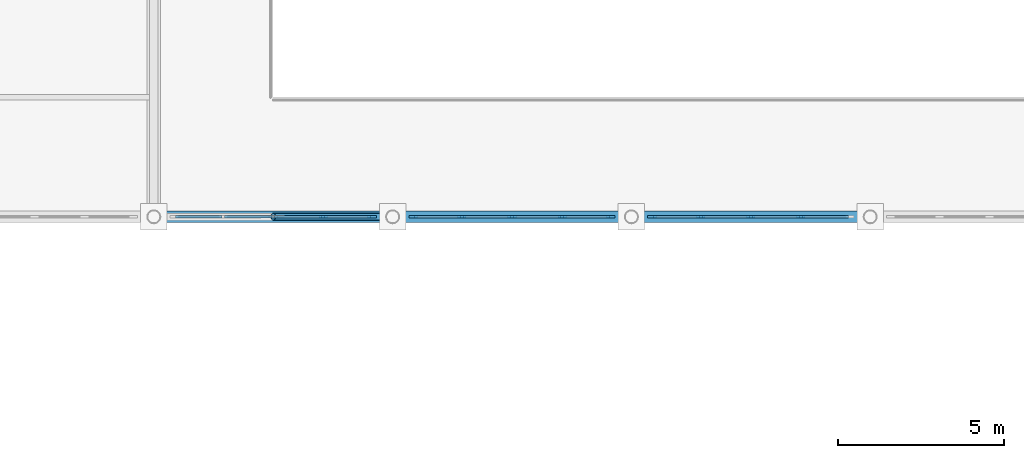
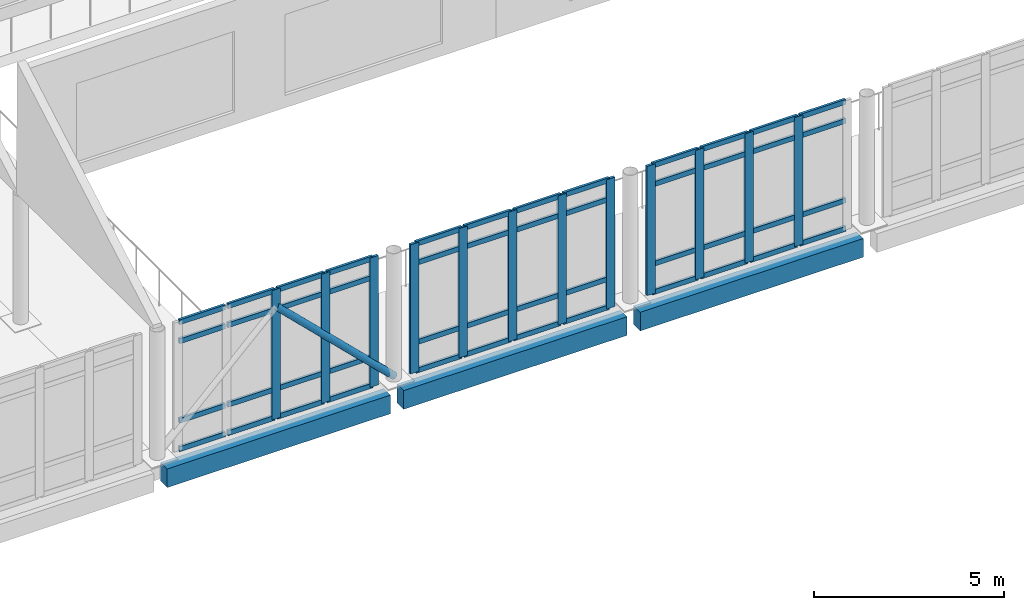
# One storey, part 10 of 62: 61 members, 3 beams, 3 elements without a shape of their own.
"""IFC4 building model written with IfcOpenShell, lengths in metres."""

from ifc_helpers import new_model, si_unit, direction, frame, origin, origin_2d, place, context, subcontext, project, spatial, rectangle, hollow_circle, extrude, material, layer, layer_set, material_profile, profile_set, type_object, element, aggregate, save


model = new_model("IFC4")

# Units and contexts
model_context = context("Model", 3, precision=1e-05, world=origin(), true_north=direction((0.0, 1.0)))
body_context = subcontext(model_context, "Body", "Model", "MODEL_VIEW")
ifc_project = project(units=[si_unit("LENGTHUNIT", "METRE"), si_unit("AREAUNIT", "SQUARE_METRE"), si_unit("VOLUMEUNIT", "CUBIC_METRE"), si_unit("PLANEANGLEUNIT", "RADIAN"), si_unit("MASSUNIT", "GRAM", prefix="KILO")], contexts=[model_context])

# Site, building, storey
site_placement = place(None, origin())
site = spatial("IfcSite", under=ifc_project, at=site_placement, CompositionType="ELEMENT")
building_placement = place(site_placement, origin())
building = spatial("IfcBuilding", under=site, at=building_placement, Name="Valkovuoma Quantum and Materials Research Institute", CompositionType="ELEMENT")
storey_placement = place(building_placement, frame((0.0, 0.0, 13.1201171875)))
storey = spatial("IfcBuildingStorey", under=building, at=storey_placement, Name="L03", CompositionType="ELEMENT", Elevation=13.1201171875)

# Beams
ifc_material_1 = material(Name="Concrete C40/50", Category="concrete")
ifc_material_profile_1 = material_profile(ifc_material_1, rectangle(XDim=0.35009765625, YDim=0.60009765625, at=origin_2d()), Name="Concrete C40/50")
ifc_profile_set_1 = profile_set([ifc_material_profile_1], Name="Concrete C40/50")
beam_type = type_object("IfcBeamType", Name="Beam-B-SPN600", PredefinedType="SPANDREL", material=ifc_profile_set_1)
for number, where, z_axis, x_axis, name in (
    (1, (43.4033203125, 36.0, -0.650146484375), (1.0, 0.0, 0.0), (0.0, 1.0, 0.0), "L03 beam X-1430"),
    (2, (50.603271484375, 36.0, -0.650146484375), (1.0, 0.0, 0.0), (0.0, 1.0, 0.0), "L03 beam X-1431"),
    (3, (57.80322265625, 36.0, -0.650146484375), (1.0, 0.0, 0.0), (0.0, 1.0, 0.0), "L03 beam X-1432"),
):
    element("IfcBeam", number, at=place(storey_placement, frame(where, z_axis=z_axis, x_axis=x_axis)), inside=storey, type_object=beam_type, Name=name, PredefinedType="SPANDREL", context=body_context, shape_type="SweptSolid", body=[
        extrude(rectangle(XDim=0.35009765625, YDim=0.60009765625, at=origin_2d()), origin(), (0.0, 0.0, 1.0), 6.79345703125),
    ])

# Curtain wall, members
ifc_material_2 = material(Name="Thermally broken aluminium and triple low-E glazing", Category="aluminium")
ifc_layer = layer(ifc_material_2, 0.219970703125)
ifc_layer_set = layer_set([ifc_layer], Name="Thermally broken aluminium and triple low-E glazing")
curtain_wall_type = type_object("IfcCurtainWallType", Name="CW-CW-02", PredefinedType="NOTDEFINED", material=ifc_layer_set)
curtain_wall_1_placement = place(storey_placement, origin())
curtain_wall_1 = element("IfcCurtainWall", 4, at=curtain_wall_1_placement, inside=storey, type_object=curtain_wall_type, Name="L03 curtain wall 203", PredefinedType="NOTDEFINED")
ifc_material_3 = material(Name="Anodised aluminium 6060-T66", Category="aluminium")
ifc_material_profile_2 = material_profile(ifc_material_3, rectangle(XDim=0.080078125, YDim=0.260009765625, at=origin_2d()), Name="Anodised aluminium 6060-T66")
ifc_profile_set_2 = profile_set([ifc_material_profile_2], Name="Anodised aluminium 6060-T66")
member_type_1 = type_object("IfcMemberType", Name="CWMull-CWM-03", PredefinedType="MULLION", material=ifc_profile_set_2)
member_1_placement = place(storey_placement, frame((46.800048828125, 36.0, 0.0), z_axis=(0.0, 0.0, 1.0), x_axis=(0.0, 1.0, 0.0)))
member_1 = element("IfcMember", 5, at=member_1_placement, type_object=member_type_1, Name="CW-02 mullion 3", PredefinedType="MULLION", context=body_context, shape_type="SweptSolid", body=[
    extrude(rectangle(XDim=0.080078125, YDim=0.260009765625, at=origin_2d()), origin(), (0.0, 0.0, 1.0), 4.159912109375),
])
member_2_placement = place(storey_placement, frame((48.31005859375, 36.0, 0.0), z_axis=(0.0, 0.0, 1.0), x_axis=(0.0, 1.0, 0.0)))
member_2 = element("IfcMember", 6, at=member_2_placement, type_object=member_type_1, Name="CW-02 mullion 4", PredefinedType="MULLION", context=body_context, shape_type="SweptSolid", body=[
    extrude(rectangle(XDim=0.080078125, YDim=0.260009765625, at=origin_2d()), origin(), (0.0, 0.0, 1.0), 4.159912109375),
])
member_3_placement = place(storey_placement, frame((49.780029296875, 36.0, 0.0), z_axis=(0.0, 0.0, 1.0), x_axis=(0.0, 1.0, 0.0)))
member_3 = element("IfcMember", 7, at=member_3_placement, type_object=member_type_1, Name="CW-02 mullion 5", PredefinedType="MULLION", context=body_context, shape_type="SweptSolid", body=[
    extrude(rectangle(XDim=0.080078125, YDim=0.260009765625, at=origin_2d()), origin(), (0.0, 0.0, 1.0), 4.159912109375),
])

curtain_wall_2_placement = place(storey_placement, origin())
curtain_wall_2 = element("IfcCurtainWall", 8, at=curtain_wall_2_placement, inside=storey, type_object=curtain_wall_type, Name="L03 curtain wall 204", PredefinedType="NOTDEFINED")
member_4_placement = place(storey_placement, frame((51.02001953125, 36.0, 0.0), z_axis=(0.0, 0.0, 1.0), x_axis=(0.0, 1.0, 0.0)))
member_4 = element("IfcMember", 9, at=member_4_placement, type_object=member_type_1, Name="CW-02 mullion 1", PredefinedType="MULLION", context=body_context, shape_type="SweptSolid", body=[
    extrude(rectangle(XDim=0.080078125, YDim=0.260009765625, at=origin_2d()), origin(), (0.0, 0.0, 1.0), 4.159912109375),
])
member_5_placement = place(storey_placement, frame((52.489990234375, 36.0, 0.0), z_axis=(0.0, 0.0, 1.0), x_axis=(0.0, 1.0, 0.0)))
member_5 = element("IfcMember", 10, at=member_5_placement, type_object=member_type_1, Name="CW-02 mullion 2", PredefinedType="MULLION", context=body_context, shape_type="SweptSolid", body=[
    extrude(rectangle(XDim=0.080078125, YDim=0.260009765625, at=origin_2d()), origin(), (0.0, 0.0, 1.0), 4.159912109375),
])
member_6_placement = place(storey_placement, frame((54.0, 36.0, 0.0), z_axis=(0.0, 0.0, 1.0), x_axis=(0.0, 1.0, 0.0)))
member_6 = element("IfcMember", 11, at=member_6_placement, type_object=member_type_1, Name="CW-02 mullion 3", PredefinedType="MULLION", context=body_context, shape_type="SweptSolid", body=[
    extrude(rectangle(XDim=0.080078125, YDim=0.260009765625, at=origin_2d()), origin(), (0.0, 0.0, 1.0), 4.159912109375),
])
member_7_placement = place(storey_placement, frame((55.510009765625, 36.0, 0.0), z_axis=(0.0, 0.0, 1.0), x_axis=(0.0, 1.0, 0.0)))
member_7 = element("IfcMember", 12, at=member_7_placement, type_object=member_type_1, Name="CW-02 mullion 4", PredefinedType="MULLION", context=body_context, shape_type="SweptSolid", body=[
    extrude(rectangle(XDim=0.080078125, YDim=0.260009765625, at=origin_2d()), origin(), (0.0, 0.0, 1.0), 4.159912109375),
])
member_8_placement = place(storey_placement, frame((56.97998046875, 36.0, 0.0), z_axis=(0.0, 0.0, 1.0), x_axis=(0.0, 1.0, 0.0)))
member_8 = element("IfcMember", 13, at=member_8_placement, type_object=member_type_1, Name="CW-02 mullion 5", PredefinedType="MULLION", context=body_context, shape_type="SweptSolid", body=[
    extrude(rectangle(XDim=0.080078125, YDim=0.260009765625, at=origin_2d()), origin(), (0.0, 0.0, 1.0), 4.159912109375),
])

curtain_wall_3_placement = place(storey_placement, origin())
curtain_wall_3 = element("IfcCurtainWall", 14, at=curtain_wall_3_placement, inside=storey, type_object=curtain_wall_type, Name="L03 curtain wall 205", PredefinedType="NOTDEFINED")
member_9_placement = place(storey_placement, frame((58.219970703125, 36.0, 0.0), z_axis=(0.0, 0.0, 1.0), x_axis=(0.0, 1.0, 0.0)))
member_9 = element("IfcMember", 15, at=member_9_placement, type_object=member_type_1, Name="CW-02 mullion 1", PredefinedType="MULLION", context=body_context, shape_type="SweptSolid", body=[
    extrude(rectangle(XDim=0.080078125, YDim=0.260009765625, at=origin_2d()), origin(), (0.0, 0.0, 1.0), 4.159912109375),
])
member_10_placement = place(storey_placement, frame((59.68994140625, 36.0, 0.0), z_axis=(0.0, 0.0, 1.0), x_axis=(0.0, 1.0, 0.0)))
member_10 = element("IfcMember", 16, at=member_10_placement, type_object=member_type_1, Name="CW-02 mullion 2", PredefinedType="MULLION", context=body_context, shape_type="SweptSolid", body=[
    extrude(rectangle(XDim=0.080078125, YDim=0.260009765625, at=origin_2d()), origin(), (0.0, 0.0, 1.0), 4.159912109375),
])
member_11_placement = place(storey_placement, frame((61.199951171875, 36.0, 0.0), z_axis=(0.0, 0.0, 1.0), x_axis=(0.0, 1.0, 0.0)))
member_11 = element("IfcMember", 17, at=member_11_placement, type_object=member_type_1, Name="CW-02 mullion 3", PredefinedType="MULLION", context=body_context, shape_type="SweptSolid", body=[
    extrude(rectangle(XDim=0.080078125, YDim=0.260009765625, at=origin_2d()), origin(), (0.0, 0.0, 1.0), 4.159912109375),
])
member_12_placement = place(storey_placement, frame((62.7099609375, 36.0, 0.0), z_axis=(0.0, 0.0, 1.0), x_axis=(0.0, 1.0, 0.0)))
member_12 = element("IfcMember", 18, at=member_12_placement, type_object=member_type_1, Name="CW-02 mullion 4", PredefinedType="MULLION", context=body_context, shape_type="SweptSolid", body=[
    extrude(rectangle(XDim=0.080078125, YDim=0.260009765625, at=origin_2d()), origin(), (0.0, 0.0, 1.0), 4.159912109375),
])

# Member
ifc_material_4 = material(Name="Anodised aluminium 6060-T66", Category="aluminium")
ifc_material_profile_3 = material_profile(ifc_material_4, rectangle(XDim=0.074951171875, YDim=0.159912109375, at=origin_2d()), Name="Anodised aluminium 6060-T66")
ifc_profile_set_3 = profile_set([ifc_material_profile_3], Name="Anodised aluminium 6060-T66")
member_type_2 = type_object("IfcMemberType", Name="CWTran-CWT-02", PredefinedType="USERDEFINED", material=ifc_profile_set_3)
member_13_placement = place(storey_placement, frame((43.860107421875, 36.0, 0.037353515625), z_axis=(1.0, 0.0, 0.0), x_axis=(0.0, 1.0, 0.0)))
member_13 = element("IfcMember", 19, at=member_13_placement, type_object=member_type_2, Name="CW-02 transom 1.1", ObjectType="TRANSOM", PredefinedType="USERDEFINED", context=body_context, shape_type="SweptSolid", body=[
    extrude(rectangle(XDim=0.074951171875, YDim=0.159912109375, at=origin_2d()), origin(), (0.0, 0.0, 1.0), 1.389892578125),
])

member_14_placement = place(storey_placement, frame((43.860107421875, 36.0, 0.949951171875), z_axis=(1.0, 0.0, 0.0), x_axis=(0.0, 1.0, 0.0)))
member_14 = element("IfcMember", 20, at=member_14_placement, type_object=member_type_2, Name="CW-02 transom 1.2", ObjectType="TRANSOM", PredefinedType="USERDEFINED", context=body_context, shape_type="SweptSolid", body=[
    extrude(rectangle(XDim=0.074951171875, YDim=0.159912109375, at=origin_2d()), origin(), (0.0, 0.0, 1.0), 1.389892578125),
])

member_15_placement = place(storey_placement, frame((43.860107421875, 36.0, 3.509765625), z_axis=(1.0, 0.0, 0.0), x_axis=(0.0, 1.0, 0.0)))
member_15 = element("IfcMember", 21, at=member_15_placement, type_object=member_type_2, Name="CW-02 transom 1.3", ObjectType="TRANSOM", PredefinedType="USERDEFINED", context=body_context, shape_type="SweptSolid", body=[
    extrude(rectangle(XDim=0.074951171875, YDim=0.159912109375, at=origin_2d()), origin(), (0.0, 0.0, 1.0), 1.389892578125),
])

member_16_placement = place(storey_placement, frame((43.860107421875, 36.0, 4.122314453125), z_axis=(1.0, 0.0, 0.0), x_axis=(0.0, 1.0, 0.0)))
member_16 = element("IfcMember", 22, at=member_16_placement, type_object=member_type_2, Name="CW-02 transom 1.4", ObjectType="TRANSOM", PredefinedType="USERDEFINED", context=body_context, shape_type="SweptSolid", body=[
    extrude(rectangle(XDim=0.074951171875, YDim=0.159912109375, at=origin_2d()), origin(), (0.0, 0.0, 1.0), 1.389892578125),
])

member_17_placement = place(storey_placement, frame((45.330078125, 36.0, 0.037353515625), z_axis=(1.0, 0.0, 0.0), x_axis=(0.0, 1.0, 0.0)))
member_17 = element("IfcMember", 23, at=member_17_placement, type_object=member_type_2, Name="CW-02 transom 2.1", ObjectType="TRANSOM", PredefinedType="USERDEFINED", context=body_context, shape_type="SweptSolid", body=[
    extrude(rectangle(XDim=0.074951171875, YDim=0.159912109375, at=origin_2d()), origin(), (0.0, 0.0, 1.0), 1.429931640625),
])

member_18_placement = place(storey_placement, frame((45.330078125, 36.0, 0.949951171875), z_axis=(1.0, 0.0, 0.0), x_axis=(0.0, 1.0, 0.0)))
member_18 = element("IfcMember", 24, at=member_18_placement, type_object=member_type_2, Name="CW-02 transom 2.2", ObjectType="TRANSOM", PredefinedType="USERDEFINED", context=body_context, shape_type="SweptSolid", body=[
    extrude(rectangle(XDim=0.074951171875, YDim=0.159912109375, at=origin_2d()), origin(), (0.0, 0.0, 1.0), 1.429931640625),
])

member_19_placement = place(storey_placement, frame((45.330078125, 36.0, 3.509765625), z_axis=(1.0, 0.0, 0.0), x_axis=(0.0, 1.0, 0.0)))
member_19 = element("IfcMember", 25, at=member_19_placement, type_object=member_type_2, Name="CW-02 transom 2.3", ObjectType="TRANSOM", PredefinedType="USERDEFINED", context=body_context, shape_type="SweptSolid", body=[
    extrude(rectangle(XDim=0.074951171875, YDim=0.159912109375, at=origin_2d()), origin(), (0.0, 0.0, 1.0), 1.429931640625),
])

member_20_placement = place(storey_placement, frame((45.330078125, 36.0, 4.122314453125), z_axis=(1.0, 0.0, 0.0), x_axis=(0.0, 1.0, 0.0)))
member_20 = element("IfcMember", 26, at=member_20_placement, type_object=member_type_2, Name="CW-02 transom 2.4", ObjectType="TRANSOM", PredefinedType="USERDEFINED", context=body_context, shape_type="SweptSolid", body=[
    extrude(rectangle(XDim=0.074951171875, YDim=0.159912109375, at=origin_2d()), origin(), (0.0, 0.0, 1.0), 1.429931640625),
])

member_21_placement = place(storey_placement, frame((46.840087890625, 36.0, 0.037353515625), z_axis=(1.0, 0.0, 0.0), x_axis=(0.0, 1.0, 0.0)))
member_21 = element("IfcMember", 27, at=member_21_placement, type_object=member_type_2, Name="CW-02 transom 3.1", ObjectType="TRANSOM", PredefinedType="USERDEFINED", context=body_context, shape_type="SweptSolid", body=[
    extrude(rectangle(XDim=0.074951171875, YDim=0.159912109375, at=origin_2d()), origin(), (0.0, 0.0, 1.0), 1.429931640625),
])

member_22_placement = place(storey_placement, frame((46.840087890625, 36.0, 0.949951171875), z_axis=(1.0, 0.0, 0.0), x_axis=(0.0, 1.0, 0.0)))
member_22 = element("IfcMember", 28, at=member_22_placement, type_object=member_type_2, Name="CW-02 transom 3.2", ObjectType="TRANSOM", PredefinedType="USERDEFINED", context=body_context, shape_type="SweptSolid", body=[
    extrude(rectangle(XDim=0.074951171875, YDim=0.159912109375, at=origin_2d()), origin(), (0.0, 0.0, 1.0), 1.429931640625),
])

member_23_placement = place(storey_placement, frame((46.840087890625, 36.0, 3.509765625), z_axis=(1.0, 0.0, 0.0), x_axis=(0.0, 1.0, 0.0)))
member_23 = element("IfcMember", 29, at=member_23_placement, type_object=member_type_2, Name="CW-02 transom 3.3", ObjectType="TRANSOM", PredefinedType="USERDEFINED", context=body_context, shape_type="SweptSolid", body=[
    extrude(rectangle(XDim=0.074951171875, YDim=0.159912109375, at=origin_2d()), origin(), (0.0, 0.0, 1.0), 1.429931640625),
])

member_24_placement = place(storey_placement, frame((46.840087890625, 36.0, 4.122314453125), z_axis=(1.0, 0.0, 0.0), x_axis=(0.0, 1.0, 0.0)))
member_24 = element("IfcMember", 30, at=member_24_placement, type_object=member_type_2, Name="CW-02 transom 3.4", ObjectType="TRANSOM", PredefinedType="USERDEFINED", context=body_context, shape_type="SweptSolid", body=[
    extrude(rectangle(XDim=0.074951171875, YDim=0.159912109375, at=origin_2d()), origin(), (0.0, 0.0, 1.0), 1.429931640625),
])

member_25_placement = place(storey_placement, frame((48.35009765625, 36.0, 0.037353515625), z_axis=(1.0, 0.0, 0.0), x_axis=(0.0, 1.0, 0.0)))
member_25 = element("IfcMember", 31, at=member_25_placement, type_object=member_type_2, Name="CW-02 transom 4.1", ObjectType="TRANSOM", PredefinedType="USERDEFINED", context=body_context, shape_type="SweptSolid", body=[
    extrude(rectangle(XDim=0.074951171875, YDim=0.159912109375, at=origin_2d()), origin(), (0.0, 0.0, 1.0), 1.389892578125),
])

member_26_placement = place(storey_placement, frame((48.35009765625, 36.0, 0.949951171875), z_axis=(1.0, 0.0, 0.0), x_axis=(0.0, 1.0, 0.0)))
member_26 = element("IfcMember", 32, at=member_26_placement, type_object=member_type_2, Name="CW-02 transom 4.2", ObjectType="TRANSOM", PredefinedType="USERDEFINED", context=body_context, shape_type="SweptSolid", body=[
    extrude(rectangle(XDim=0.074951171875, YDim=0.159912109375, at=origin_2d()), origin(), (0.0, 0.0, 1.0), 1.389892578125),
])

member_27_placement = place(storey_placement, frame((48.35009765625, 36.0, 3.509765625), z_axis=(1.0, 0.0, 0.0), x_axis=(0.0, 1.0, 0.0)))
member_27 = element("IfcMember", 33, at=member_27_placement, type_object=member_type_2, Name="CW-02 transom 4.3", ObjectType="TRANSOM", PredefinedType="USERDEFINED", context=body_context, shape_type="SweptSolid", body=[
    extrude(rectangle(XDim=0.074951171875, YDim=0.159912109375, at=origin_2d()), origin(), (0.0, 0.0, 1.0), 1.389892578125),
])

member_28_placement = place(storey_placement, frame((48.35009765625, 36.0, 4.122314453125), z_axis=(1.0, 0.0, 0.0), x_axis=(0.0, 1.0, 0.0)))
member_28 = element("IfcMember", 34, at=member_28_placement, type_object=member_type_2, Name="CW-02 transom 4.4", ObjectType="TRANSOM", PredefinedType="USERDEFINED", context=body_context, shape_type="SweptSolid", body=[
    extrude(rectangle(XDim=0.074951171875, YDim=0.159912109375, at=origin_2d()), origin(), (0.0, 0.0, 1.0), 1.389892578125),
])

aggregate(curtain_wall_1, [member_1, member_2, member_3, member_13, member_14, member_15, member_16, member_17, member_18, member_19, member_20, member_21, member_22, member_23, member_24, member_25, member_26, member_27, member_28])

member_29_placement = place(storey_placement, frame((51.06005859375, 36.0, 0.037353515625), z_axis=(1.0, 0.0, 0.0), x_axis=(0.0, 1.0, 0.0)))
member_29 = element("IfcMember", 35, at=member_29_placement, type_object=member_type_2, Name="CW-02 transom 1.1", ObjectType="TRANSOM", PredefinedType="USERDEFINED", context=body_context, shape_type="SweptSolid", body=[
    extrude(rectangle(XDim=0.074951171875, YDim=0.159912109375, at=origin_2d()), origin(), (0.0, 0.0, 1.0), 1.389892578125),
])

member_30_placement = place(storey_placement, frame((51.06005859375, 36.0, 0.949951171875), z_axis=(1.0, 0.0, 0.0), x_axis=(0.0, 1.0, 0.0)))
member_30 = element("IfcMember", 36, at=member_30_placement, type_object=member_type_2, Name="CW-02 transom 1.2", ObjectType="TRANSOM", PredefinedType="USERDEFINED", context=body_context, shape_type="SweptSolid", body=[
    extrude(rectangle(XDim=0.074951171875, YDim=0.159912109375, at=origin_2d()), origin(), (0.0, 0.0, 1.0), 1.389892578125),
])

member_31_placement = place(storey_placement, frame((51.06005859375, 36.0, 3.509765625), z_axis=(1.0, 0.0, 0.0), x_axis=(0.0, 1.0, 0.0)))
member_31 = element("IfcMember", 37, at=member_31_placement, type_object=member_type_2, Name="CW-02 transom 1.3", ObjectType="TRANSOM", PredefinedType="USERDEFINED", context=body_context, shape_type="SweptSolid", body=[
    extrude(rectangle(XDim=0.074951171875, YDim=0.159912109375, at=origin_2d()), origin(), (0.0, 0.0, 1.0), 1.389892578125),
])

member_32_placement = place(storey_placement, frame((51.06005859375, 36.0, 4.122314453125), z_axis=(1.0, 0.0, 0.0), x_axis=(0.0, 1.0, 0.0)))
member_32 = element("IfcMember", 38, at=member_32_placement, type_object=member_type_2, Name="CW-02 transom 1.4", ObjectType="TRANSOM", PredefinedType="USERDEFINED", context=body_context, shape_type="SweptSolid", body=[
    extrude(rectangle(XDim=0.074951171875, YDim=0.159912109375, at=origin_2d()), origin(), (0.0, 0.0, 1.0), 1.389892578125),
])

member_33_placement = place(storey_placement, frame((52.530029296875, 36.0, 0.037353515625), z_axis=(1.0, 0.0, 0.0), x_axis=(0.0, 1.0, 0.0)))
member_33 = element("IfcMember", 39, at=member_33_placement, type_object=member_type_2, Name="CW-02 transom 2.1", ObjectType="TRANSOM", PredefinedType="USERDEFINED", context=body_context, shape_type="SweptSolid", body=[
    extrude(rectangle(XDim=0.074951171875, YDim=0.159912109375, at=origin_2d()), origin(), (0.0, 0.0, 1.0), 1.429931640625),
])

member_34_placement = place(storey_placement, frame((52.530029296875, 36.0, 0.949951171875), z_axis=(1.0, 0.0, 0.0), x_axis=(0.0, 1.0, 0.0)))
member_34 = element("IfcMember", 40, at=member_34_placement, type_object=member_type_2, Name="CW-02 transom 2.2", ObjectType="TRANSOM", PredefinedType="USERDEFINED", context=body_context, shape_type="SweptSolid", body=[
    extrude(rectangle(XDim=0.074951171875, YDim=0.159912109375, at=origin_2d()), origin(), (0.0, 0.0, 1.0), 1.429931640625),
])

member_35_placement = place(storey_placement, frame((52.530029296875, 36.0, 3.509765625), z_axis=(1.0, 0.0, 0.0), x_axis=(0.0, 1.0, 0.0)))
member_35 = element("IfcMember", 41, at=member_35_placement, type_object=member_type_2, Name="CW-02 transom 2.3", ObjectType="TRANSOM", PredefinedType="USERDEFINED", context=body_context, shape_type="SweptSolid", body=[
    extrude(rectangle(XDim=0.074951171875, YDim=0.159912109375, at=origin_2d()), origin(), (0.0, 0.0, 1.0), 1.429931640625),
])

member_36_placement = place(storey_placement, frame((52.530029296875, 36.0, 4.122314453125), z_axis=(1.0, 0.0, 0.0), x_axis=(0.0, 1.0, 0.0)))
member_36 = element("IfcMember", 42, at=member_36_placement, type_object=member_type_2, Name="CW-02 transom 2.4", ObjectType="TRANSOM", PredefinedType="USERDEFINED", context=body_context, shape_type="SweptSolid", body=[
    extrude(rectangle(XDim=0.074951171875, YDim=0.159912109375, at=origin_2d()), origin(), (0.0, 0.0, 1.0), 1.429931640625),
])

member_37_placement = place(storey_placement, frame((54.0400390625, 36.0, 0.037353515625), z_axis=(1.0, 0.0, 0.0), x_axis=(0.0, 1.0, 0.0)))
member_37 = element("IfcMember", 43, at=member_37_placement, type_object=member_type_2, Name="CW-02 transom 3.1", ObjectType="TRANSOM", PredefinedType="USERDEFINED", context=body_context, shape_type="SweptSolid", body=[
    extrude(rectangle(XDim=0.074951171875, YDim=0.159912109375, at=origin_2d()), origin(), (0.0, 0.0, 1.0), 1.429931640625),
])

member_38_placement = place(storey_placement, frame((54.0400390625, 36.0, 0.949951171875), z_axis=(1.0, 0.0, 0.0), x_axis=(0.0, 1.0, 0.0)))
member_38 = element("IfcMember", 44, at=member_38_placement, type_object=member_type_2, Name="CW-02 transom 3.2", ObjectType="TRANSOM", PredefinedType="USERDEFINED", context=body_context, shape_type="SweptSolid", body=[
    extrude(rectangle(XDim=0.074951171875, YDim=0.159912109375, at=origin_2d()), origin(), (0.0, 0.0, 1.0), 1.429931640625),
])

member_39_placement = place(storey_placement, frame((54.0400390625, 36.0, 3.509765625), z_axis=(1.0, 0.0, 0.0), x_axis=(0.0, 1.0, 0.0)))
member_39 = element("IfcMember", 45, at=member_39_placement, type_object=member_type_2, Name="CW-02 transom 3.3", ObjectType="TRANSOM", PredefinedType="USERDEFINED", context=body_context, shape_type="SweptSolid", body=[
    extrude(rectangle(XDim=0.074951171875, YDim=0.159912109375, at=origin_2d()), origin(), (0.0, 0.0, 1.0), 1.429931640625),
])

member_40_placement = place(storey_placement, frame((54.0400390625, 36.0, 4.122314453125), z_axis=(1.0, 0.0, 0.0), x_axis=(0.0, 1.0, 0.0)))
member_40 = element("IfcMember", 46, at=member_40_placement, type_object=member_type_2, Name="CW-02 transom 3.4", ObjectType="TRANSOM", PredefinedType="USERDEFINED", context=body_context, shape_type="SweptSolid", body=[
    extrude(rectangle(XDim=0.074951171875, YDim=0.159912109375, at=origin_2d()), origin(), (0.0, 0.0, 1.0), 1.429931640625),
])

member_41_placement = place(storey_placement, frame((55.550048828125, 36.0, 0.037353515625), z_axis=(1.0, 0.0, 0.0), x_axis=(0.0, 1.0, 0.0)))
member_41 = element("IfcMember", 47, at=member_41_placement, type_object=member_type_2, Name="CW-02 transom 4.1", ObjectType="TRANSOM", PredefinedType="USERDEFINED", context=body_context, shape_type="SweptSolid", body=[
    extrude(rectangle(XDim=0.074951171875, YDim=0.159912109375, at=origin_2d()), origin(), (0.0, 0.0, 1.0), 1.389892578125),
])

member_42_placement = place(storey_placement, frame((55.550048828125, 36.0, 0.949951171875), z_axis=(1.0, 0.0, 0.0), x_axis=(0.0, 1.0, 0.0)))
member_42 = element("IfcMember", 48, at=member_42_placement, type_object=member_type_2, Name="CW-02 transom 4.2", ObjectType="TRANSOM", PredefinedType="USERDEFINED", context=body_context, shape_type="SweptSolid", body=[
    extrude(rectangle(XDim=0.074951171875, YDim=0.159912109375, at=origin_2d()), origin(), (0.0, 0.0, 1.0), 1.389892578125),
])

member_43_placement = place(storey_placement, frame((55.550048828125, 36.0, 3.509765625), z_axis=(1.0, 0.0, 0.0), x_axis=(0.0, 1.0, 0.0)))
member_43 = element("IfcMember", 49, at=member_43_placement, type_object=member_type_2, Name="CW-02 transom 4.3", ObjectType="TRANSOM", PredefinedType="USERDEFINED", context=body_context, shape_type="SweptSolid", body=[
    extrude(rectangle(XDim=0.074951171875, YDim=0.159912109375, at=origin_2d()), origin(), (0.0, 0.0, 1.0), 1.389892578125),
])

member_44_placement = place(storey_placement, frame((55.550048828125, 36.0, 4.122314453125), z_axis=(1.0, 0.0, 0.0), x_axis=(0.0, 1.0, 0.0)))
member_44 = element("IfcMember", 50, at=member_44_placement, type_object=member_type_2, Name="CW-02 transom 4.4", ObjectType="TRANSOM", PredefinedType="USERDEFINED", context=body_context, shape_type="SweptSolid", body=[
    extrude(rectangle(XDim=0.074951171875, YDim=0.159912109375, at=origin_2d()), origin(), (0.0, 0.0, 1.0), 1.389892578125),
])

aggregate(curtain_wall_2, [member_4, member_5, member_6, member_7, member_8, member_29, member_30, member_31, member_32, member_33, member_34, member_35, member_36, member_37, member_38, member_39, member_40, member_41, member_42, member_43, member_44])

member_45_placement = place(storey_placement, frame((58.260009765625, 36.0, 0.037353515625), z_axis=(1.0, 0.0, 0.0), x_axis=(0.0, 1.0, 0.0)))
member_45 = element("IfcMember", 51, at=member_45_placement, type_object=member_type_2, Name="CW-02 transom 1.1", ObjectType="TRANSOM", PredefinedType="USERDEFINED", context=body_context, shape_type="SweptSolid", body=[
    extrude(rectangle(XDim=0.074951171875, YDim=0.159912109375, at=origin_2d()), origin(), (0.0, 0.0, 1.0), 1.389892578125),
])

member_46_placement = place(storey_placement, frame((58.260009765625, 36.0, 0.949951171875), z_axis=(1.0, 0.0, 0.0), x_axis=(0.0, 1.0, 0.0)))
member_46 = element("IfcMember", 52, at=member_46_placement, type_object=member_type_2, Name="CW-02 transom 1.2", ObjectType="TRANSOM", PredefinedType="USERDEFINED", context=body_context, shape_type="SweptSolid", body=[
    extrude(rectangle(XDim=0.074951171875, YDim=0.159912109375, at=origin_2d()), origin(), (0.0, 0.0, 1.0), 1.389892578125),
])

member_47_placement = place(storey_placement, frame((58.260009765625, 36.0, 3.509765625), z_axis=(1.0, 0.0, 0.0), x_axis=(0.0, 1.0, 0.0)))
member_47 = element("IfcMember", 53, at=member_47_placement, type_object=member_type_2, Name="CW-02 transom 1.3", ObjectType="TRANSOM", PredefinedType="USERDEFINED", context=body_context, shape_type="SweptSolid", body=[
    extrude(rectangle(XDim=0.074951171875, YDim=0.159912109375, at=origin_2d()), origin(), (0.0, 0.0, 1.0), 1.389892578125),
])

member_48_placement = place(storey_placement, frame((58.260009765625, 36.0, 4.122314453125), z_axis=(1.0, 0.0, 0.0), x_axis=(0.0, 1.0, 0.0)))
member_48 = element("IfcMember", 54, at=member_48_placement, type_object=member_type_2, Name="CW-02 transom 1.4", ObjectType="TRANSOM", PredefinedType="USERDEFINED", context=body_context, shape_type="SweptSolid", body=[
    extrude(rectangle(XDim=0.074951171875, YDim=0.159912109375, at=origin_2d()), origin(), (0.0, 0.0, 1.0), 1.389892578125),
])

member_49_placement = place(storey_placement, frame((59.72998046875, 36.0, 0.037353515625), z_axis=(1.0, 0.0, 0.0), x_axis=(0.0, 1.0, 0.0)))
member_49 = element("IfcMember", 55, at=member_49_placement, type_object=member_type_2, Name="CW-02 transom 2.1", ObjectType="TRANSOM", PredefinedType="USERDEFINED", context=body_context, shape_type="SweptSolid", body=[
    extrude(rectangle(XDim=0.074951171875, YDim=0.159912109375, at=origin_2d()), origin(), (0.0, 0.0, 1.0), 1.429931640625),
])

member_50_placement = place(storey_placement, frame((59.72998046875, 36.0, 0.949951171875), z_axis=(1.0, 0.0, 0.0), x_axis=(0.0, 1.0, 0.0)))
member_50 = element("IfcMember", 56, at=member_50_placement, type_object=member_type_2, Name="CW-02 transom 2.2", ObjectType="TRANSOM", PredefinedType="USERDEFINED", context=body_context, shape_type="SweptSolid", body=[
    extrude(rectangle(XDim=0.074951171875, YDim=0.159912109375, at=origin_2d()), origin(), (0.0, 0.0, 1.0), 1.429931640625),
])

member_51_placement = place(storey_placement, frame((59.72998046875, 36.0, 3.509765625), z_axis=(1.0, 0.0, 0.0), x_axis=(0.0, 1.0, 0.0)))
member_51 = element("IfcMember", 57, at=member_51_placement, type_object=member_type_2, Name="CW-02 transom 2.3", ObjectType="TRANSOM", PredefinedType="USERDEFINED", context=body_context, shape_type="SweptSolid", body=[
    extrude(rectangle(XDim=0.074951171875, YDim=0.159912109375, at=origin_2d()), origin(), (0.0, 0.0, 1.0), 1.429931640625),
])

member_52_placement = place(storey_placement, frame((59.72998046875, 36.0, 4.122314453125), z_axis=(1.0, 0.0, 0.0), x_axis=(0.0, 1.0, 0.0)))
member_52 = element("IfcMember", 58, at=member_52_placement, type_object=member_type_2, Name="CW-02 transom 2.4", ObjectType="TRANSOM", PredefinedType="USERDEFINED", context=body_context, shape_type="SweptSolid", body=[
    extrude(rectangle(XDim=0.074951171875, YDim=0.159912109375, at=origin_2d()), origin(), (0.0, 0.0, 1.0), 1.429931640625),
])

member_53_placement = place(storey_placement, frame((61.239990234375, 36.0, 0.037353515625), z_axis=(1.0, 0.0, 0.0), x_axis=(0.0, 1.0, 0.0)))
member_53 = element("IfcMember", 59, at=member_53_placement, type_object=member_type_2, Name="CW-02 transom 3.1", ObjectType="TRANSOM", PredefinedType="USERDEFINED", context=body_context, shape_type="SweptSolid", body=[
    extrude(rectangle(XDim=0.074951171875, YDim=0.159912109375, at=origin_2d()), origin(), (0.0, 0.0, 1.0), 1.429931640625),
])

member_54_placement = place(storey_placement, frame((61.239990234375, 36.0, 0.949951171875), z_axis=(1.0, 0.0, 0.0), x_axis=(0.0, 1.0, 0.0)))
member_54 = element("IfcMember", 60, at=member_54_placement, type_object=member_type_2, Name="CW-02 transom 3.2", ObjectType="TRANSOM", PredefinedType="USERDEFINED", context=body_context, shape_type="SweptSolid", body=[
    extrude(rectangle(XDim=0.074951171875, YDim=0.159912109375, at=origin_2d()), origin(), (0.0, 0.0, 1.0), 1.429931640625),
])

member_55_placement = place(storey_placement, frame((61.239990234375, 36.0, 3.509765625), z_axis=(1.0, 0.0, 0.0), x_axis=(0.0, 1.0, 0.0)))
member_55 = element("IfcMember", 61, at=member_55_placement, type_object=member_type_2, Name="CW-02 transom 3.3", ObjectType="TRANSOM", PredefinedType="USERDEFINED", context=body_context, shape_type="SweptSolid", body=[
    extrude(rectangle(XDim=0.074951171875, YDim=0.159912109375, at=origin_2d()), origin(), (0.0, 0.0, 1.0), 1.429931640625),
])

member_56_placement = place(storey_placement, frame((61.239990234375, 36.0, 4.122314453125), z_axis=(1.0, 0.0, 0.0), x_axis=(0.0, 1.0, 0.0)))
member_56 = element("IfcMember", 62, at=member_56_placement, type_object=member_type_2, Name="CW-02 transom 3.4", ObjectType="TRANSOM", PredefinedType="USERDEFINED", context=body_context, shape_type="SweptSolid", body=[
    extrude(rectangle(XDim=0.074951171875, YDim=0.159912109375, at=origin_2d()), origin(), (0.0, 0.0, 1.0), 1.429931640625),
])

member_57_placement = place(storey_placement, frame((62.75, 36.0, 0.037353515625), z_axis=(1.0, 0.0, 0.0), x_axis=(0.0, 1.0, 0.0)))
member_57 = element("IfcMember", 63, at=member_57_placement, type_object=member_type_2, Name="CW-02 transom 4.1", ObjectType="TRANSOM", PredefinedType="USERDEFINED", context=body_context, shape_type="SweptSolid", body=[
    extrude(rectangle(XDim=0.074951171875, YDim=0.159912109375, at=origin_2d()), origin(), (0.0, 0.0, 1.0), 1.389892578125),
])

member_58_placement = place(storey_placement, frame((62.75, 36.0, 0.949951171875), z_axis=(1.0, 0.0, 0.0), x_axis=(0.0, 1.0, 0.0)))
member_58 = element("IfcMember", 64, at=member_58_placement, type_object=member_type_2, Name="CW-02 transom 4.2", ObjectType="TRANSOM", PredefinedType="USERDEFINED", context=body_context, shape_type="SweptSolid", body=[
    extrude(rectangle(XDim=0.074951171875, YDim=0.159912109375, at=origin_2d()), origin(), (0.0, 0.0, 1.0), 1.389892578125),
])

member_59_placement = place(storey_placement, frame((62.75, 36.0, 3.509765625), z_axis=(1.0, 0.0, 0.0), x_axis=(0.0, 1.0, 0.0)))
member_59 = element("IfcMember", 65, at=member_59_placement, type_object=member_type_2, Name="CW-02 transom 4.3", ObjectType="TRANSOM", PredefinedType="USERDEFINED", context=body_context, shape_type="SweptSolid", body=[
    extrude(rectangle(XDim=0.074951171875, YDim=0.159912109375, at=origin_2d()), origin(), (0.0, 0.0, 1.0), 1.389892578125),
])

member_60_placement = place(storey_placement, frame((62.75, 36.0, 4.122314453125), z_axis=(1.0, 0.0, 0.0), x_axis=(0.0, 1.0, 0.0)))
member_60 = element("IfcMember", 66, at=member_60_placement, type_object=member_type_2, Name="CW-02 transom 4.4", ObjectType="TRANSOM", PredefinedType="USERDEFINED", context=body_context, shape_type="SweptSolid", body=[
    extrude(rectangle(XDim=0.074951171875, YDim=0.159912109375, at=origin_2d()), origin(), (0.0, 0.0, 1.0), 1.389892578125),
])

aggregate(curtain_wall_3, [member_9, member_10, member_11, member_12, member_45, member_46, member_47, member_48, member_49, member_50, member_51, member_52, member_53, member_54, member_55, member_56, member_57, member_58, member_59, member_60])

ifc_material_5 = material(Name="Steel S355J2H", Category="steel")
ifc_material_profile_4 = material_profile(ifc_material_5, hollow_circle(Radius=0.109619140625, WallThickness=0.010009765625, at=origin_2d()), Name="Steel S355J2H")
ifc_profile_set_4 = profile_set([ifc_material_profile_4], Name="Steel S355J2H")
member_type_3 = type_object("IfcMemberType", Name="Mem-M-BRC219", PredefinedType="BRACE", material=ifc_profile_set_4)
member_61_placement = place(storey_placement, frame((50.39990234375, 36.0, 0.099853515625), z_axis=(-0.715984969996, 0.0, 0.69811569438), x_axis=(0.0, -1.0, 0.0)))
element("IfcMember", 67, at=member_61_placement, inside=storey, type_object=member_type_3, Name="L03 chevron wind brace 04B", PredefinedType="BRACE", context=body_context, shape_type="SweptSolid", body=[
    extrude(hollow_circle(Radius=0.109619140625, WallThickness=0.010009765625, at=origin_2d()), origin(), (0.0, 0.0, 1.0), 5.02783203125),
])

save(model, "model.ifc")
